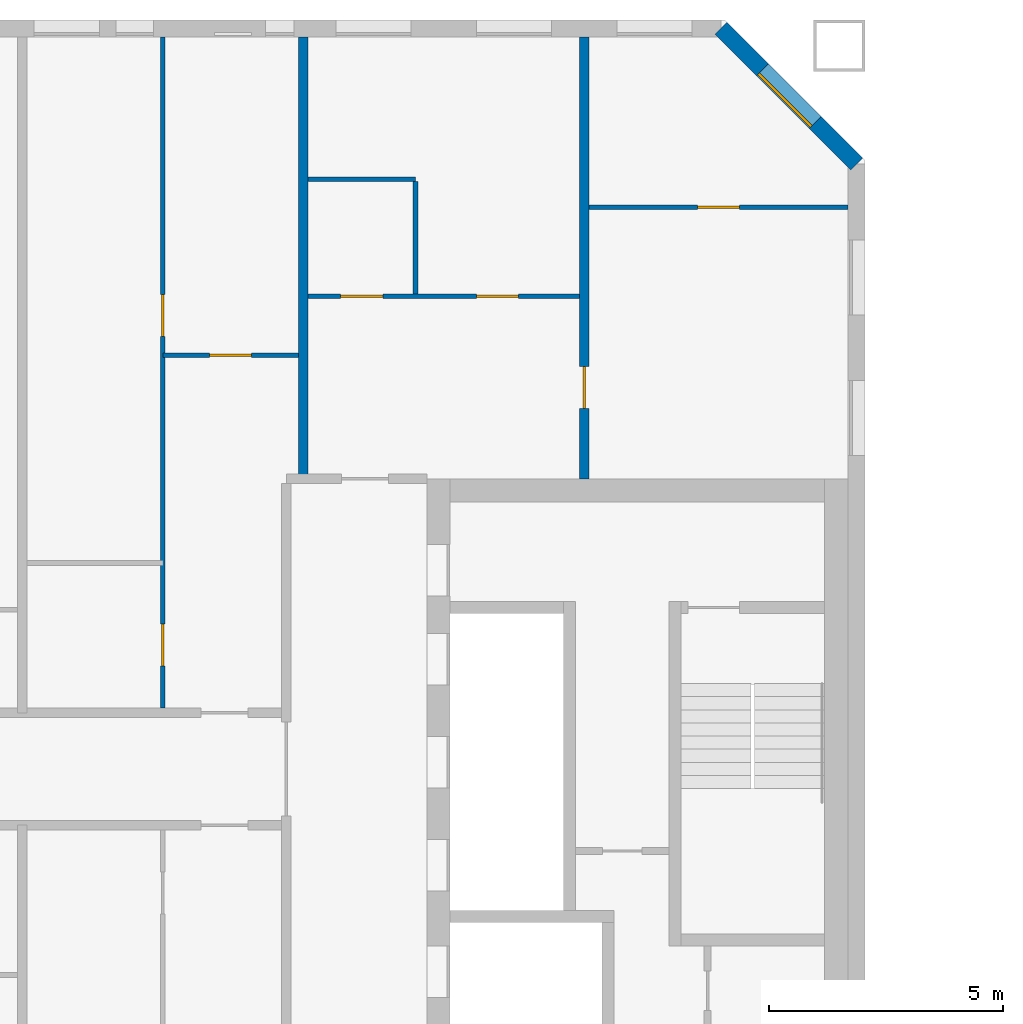
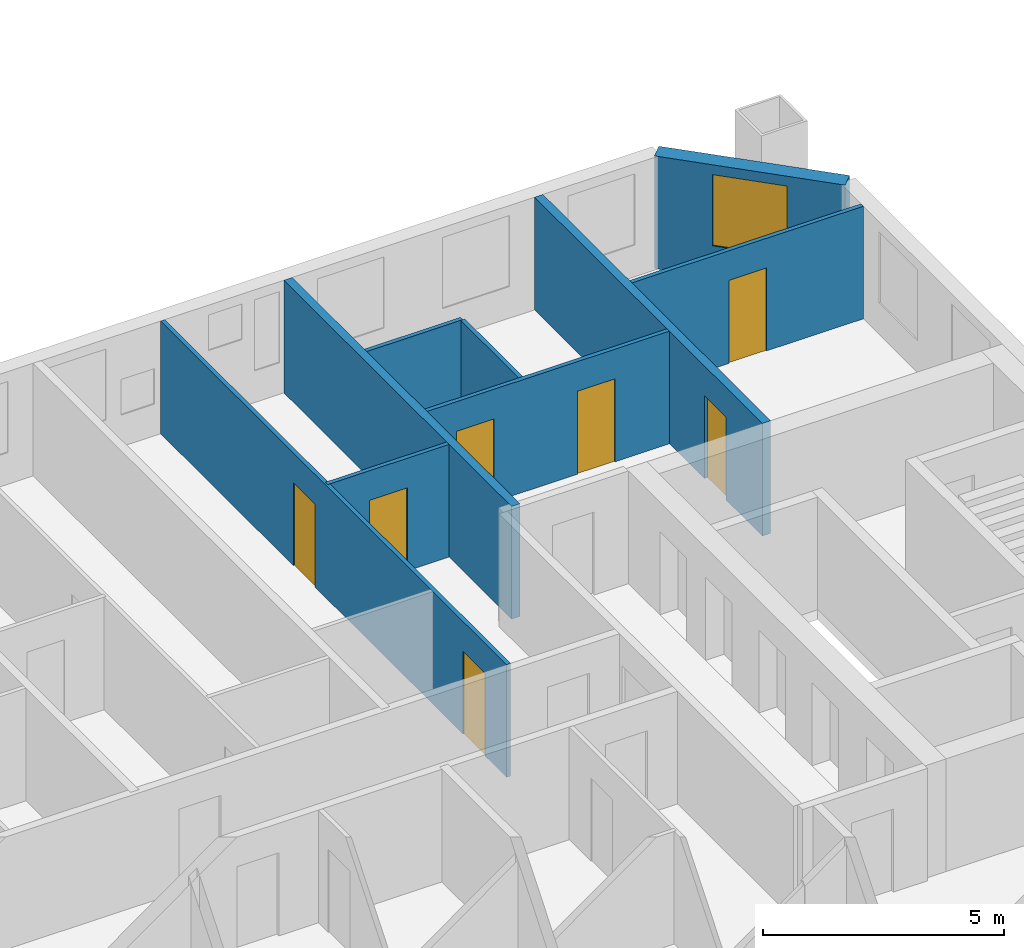
# One storey, part 8 of 16: 9 walls, 7 doors, 1 window, 8 openings.
"""IFC4 building model written with IfcOpenShell, lengths in metres."""

from ifc_helpers import new_model, si_unit, direction, frame, frame_2d, origin, place, context, subcontext, project, spatial, rectangle, extrude, material, layer, layer_set, type_object, element, fill, save


model = new_model("IFC4")

# Units and contexts
model_context = context("Model", 3, precision=1e-05, world=origin(), true_north=direction((0.0, 1.0)))
body_context = subcontext(model_context, "Body", "Model", "MODEL_VIEW")
ifc_project = project(units=[si_unit("LENGTHUNIT", "METRE"), si_unit("AREAUNIT", "SQUARE_METRE"), si_unit("VOLUMEUNIT", "CUBIC_METRE"), si_unit("PLANEANGLEUNIT", "RADIAN"), si_unit("MASSUNIT", "GRAM", prefix="KILO")], contexts=[model_context])

# Site, building, storey
site_placement = place(None, origin())
site = spatial("IfcSite", under=ifc_project, at=site_placement, CompositionType="ELEMENT")
building_placement = place(site_placement, origin())
building = spatial("IfcBuilding", under=site, at=building_placement, Name="Tuart Gate Housing", CompositionType="ELEMENT")
storey_placement = place(building_placement, frame((0.0, 0.0, 157.800048828125)))
storey = spatial("IfcBuildingStorey", under=building, at=storey_placement, Name="L44", CompositionType="ELEMENT", Elevation=157.800048828125)

# Wall, opening, window
ifc_material_1 = material(Name="Brick", Category="masonry")
ifc_layer_1 = layer(ifc_material_1, 0.360107421875)
ifc_layer_set_1 = layer_set([ifc_layer_1], Name="Brick pier and spandrel wall 360")
wall_type_1 = type_object("IfcWallType", Name="Brick pier and spandrel wall 360", PredefinedType="STANDARD", material=ifc_layer_set_1)
wall_1_placement = place(storey_placement, frame((75.820068359375, 82.92529296875, 0.0), z_axis=(0.0, 0.0, 1.0), x_axis=(-0.707106781187, 0.707106781187, 0.0)))
wall_1 = element("IfcWall", 1, at=wall_1_placement, inside=storey, type_object=wall_type_1, Name="External wall A-NE L44", PredefinedType="STANDARD", context=body_context, shape_type="SweptSolid", body=[
    extrude(rectangle(XDim=4.09375, YDim=0.360107421875, at=frame_2d((2.046875, 0.0))), origin(), (0.0, 0.0, 1.0), 2.849853515625),
])
opening_1_placement = place(wall_1_placement, frame((1.2470703125, 0.0, 0.800048828125)))
opening_1 = element("IfcOpeningElement", 2, at=opening_1_placement, cuts=wall_1, Name="Opening W1", PredefinedType="OPENING", context=body_context, shape_type="SweptSolid", body=[
    extrude(rectangle(XDim=1.60009765625, YDim=1.800048828125, at=frame_2d((0.800048828125, 0.89990234375))), frame((0.0, 0.18994140625, 0.0), z_axis=(0.0, -1.0, 0.0), x_axis=(1.0, 0.0, 0.0)), (0.0, 0.0, 1.0), 0.380126953125),
])
ifc_material_2 = material(Name="Aluminium frame with clear glass", Category="aluminium")
window_type = type_object("IfcWindowType", Name="Punched window 1600 x 1800", PartitioningType="SINGLE_PANEL", PredefinedType="WINDOW", material=ifc_material_2)
window_placement = place(opening_1_placement, origin())
window = element("IfcWindow", 3, at=window_placement, inside=storey, type_object=window_type, Name="Window W1", OverallHeight=1.800048828125, OverallWidth=1.60009765625, PartitioningType="SINGLE_PANEL", PredefinedType="WINDOW", context=body_context, shape_type="SweptSolid", body=[
    extrude(rectangle(XDim=1.60009765625, YDim=1.800048828125, at=frame_2d((0.800048828125, 0.89990234375))), frame((0.0, 0.150146484375, 0.0), z_axis=(0.0, -1.0, 0.0), x_axis=(1.0, 0.0, 0.0)), (0.0, 0.0, 1.0), 0.06005859375),
])
fill(opening_1, window)

# Wall, opening, door
ifc_material_3 = material(Name="Gypsum board on steel studs", Category="steel")
ifc_layer_2 = layer(ifc_material_3, 0.10009765625)
ifc_layer_set_2 = layer_set([ifc_layer_2], Name="Partition 100")
wall_type_2 = type_object("IfcWallType", Name="Partition 100", PredefinedType="PARTITIONING", material=ifc_layer_set_2)
wall_2_placement = place(storey_placement, frame((61.0, 78.840087890625, 0.0), z_axis=(0.0, 0.0, 1.0), x_axis=(1.0, 0.0, 0.0)))
wall_2 = element("IfcWall", 4, at=wall_2_placement, inside=storey, type_object=wall_type_2, Name="Partition 100", PredefinedType="PARTITIONING", context=body_context, shape_type="SweptSolid", body=[
    extrude(rectangle(XDim=2.89990234375, YDim=0.10009765625, at=frame_2d((1.449951171875, 0.0))), origin(), (0.0, 0.0, 1.0), 2.849853515625),
])
opening_2_placement = place(wall_2_placement, frame((1.0, 0.0, 0.0)))
opening_2 = element("IfcOpeningElement", 5, at=opening_2_placement, cuts=wall_2, Name="Opening D1631", PredefinedType="OPENING", context=body_context, shape_type="SweptSolid", body=[
    extrude(rectangle(XDim=0.89990234375, YDim=2.10009765625, at=frame_2d((0.449951171875, 1.050048828125))), frame((0.0, 0.06005859375, 0.0), z_axis=(0.0, -1.0, 0.0), x_axis=(1.0, 0.0, 0.0)), (0.0, 0.0, 1.0), 0.1201171875),
])
ifc_material_4 = material(Name="Timber door leaf in steel frame", Category="steel")
door_type_1 = type_object("IfcDoorType", Name="Internal door 900 RH", OperationType="SINGLE_SWING_RIGHT", PredefinedType="DOOR", material=ifc_material_4)
door_1_placement = place(opening_2_placement, frame((0.89990234375, 0.0, 0.0), z_axis=(0.0, 0.0, 1.0), x_axis=(-1.0, 0.0, 0.0)))
door_1 = element("IfcDoor", 6, at=door_1_placement, inside=storey, type_object=door_type_1, Name="Internal door", OperationType="SINGLE_SWING_RIGHT", OverallHeight=2.10009765625, OverallWidth=0.89990234375, PredefinedType="DOOR", context=body_context, shape_type="SweptSolid", body=[
    extrude(rectangle(XDim=0.89990234375, YDim=2.10009765625, at=frame_2d((0.449951171875, 1.050048828125))), frame((0.0, 0.025146484375, 0.0), z_axis=(0.0, -1.0, 0.0), x_axis=(1.0, 0.0, 0.0)), (0.0, 0.0, 1.0), 0.050048828125),
])
fill(opening_2, door_1)

# Wall, openings, doors
wall_3_placement = place(storey_placement, frame((64.10009765625, 80.10009765625, 0.0), z_axis=(0.0, 0.0, 1.0), x_axis=(1.0, 0.0, 0.0)))
wall_3 = element("IfcWall", 7, at=wall_3_placement, inside=storey, type_object=wall_type_2, Name="Partition 100", PredefinedType="PARTITIONING", context=body_context, shape_type="SweptSolid", body=[
    extrude(rectangle(XDim=5.7998046875, YDim=0.10009765625, at=frame_2d((2.89990234375, 0.0))), origin(), (0.0, 0.0, 1.0), 2.849853515625),
])
opening_3_placement = place(wall_3_placement, frame((3.60009765625, 0.0, 0.0)))
opening_3 = element("IfcOpeningElement", 8, at=opening_3_placement, cuts=wall_3, Name="Opening D1629", PredefinedType="OPENING", context=body_context, shape_type="SweptSolid", body=[
    extrude(rectangle(XDim=0.89990234375, YDim=2.10009765625, at=frame_2d((0.449951171875, 1.050048828125))), frame((0.0, 0.06005859375, 0.0), z_axis=(0.0, -1.0, 0.0), x_axis=(1.0, 0.0, 0.0)), (0.0, 0.0, 1.0), 0.1201171875),
])
opening_4_placement = place(wall_3_placement, frame((0.699951171875, 0.0, 0.0)))
opening_4 = element("IfcOpeningElement", 9, at=opening_4_placement, cuts=wall_3, Name="Opening D1628", PredefinedType="OPENING", context=body_context, shape_type="SweptSolid", body=[
    extrude(rectangle(XDim=0.89990234375, YDim=2.10009765625, at=frame_2d((0.449951171875, 1.050048828125))), frame((0.0, 0.06005859375, 0.0), z_axis=(0.0, -1.0, 0.0), x_axis=(1.0, 0.0, 0.0)), (0.0, 0.0, 1.0), 0.1201171875),
])
ifc_material_5 = material(Name="Timber door leaf in steel frame", Category="steel")
door_type_2 = type_object("IfcDoorType", Name="Bathroom door 900 RH", OperationType="SINGLE_SWING_RIGHT", PredefinedType="DOOR", material=ifc_material_5)
door_2_placement = place(opening_4_placement, origin())
door_2 = element("IfcDoor", 10, at=door_2_placement, inside=storey, type_object=door_type_2, Name="Bathroom door", OperationType="SINGLE_SWING_RIGHT", OverallHeight=2.10009765625, OverallWidth=0.89990234375, PredefinedType="DOOR", context=body_context, shape_type="SweptSolid", body=[
    extrude(rectangle(XDim=0.89990234375, YDim=2.10009765625, at=frame_2d((0.449951171875, 1.050048828125))), frame((0.0, 0.02490234375, 0.0), z_axis=(0.0, -1.0, 0.0), x_axis=(1.0, 0.0, 0.0)), (0.0, 0.0, 1.0), 0.050048828125),
])
fill(opening_4, door_2)
ifc_material_6 = material(Name="Timber door leaf in steel frame", Category="steel")
door_type_3 = type_object("IfcDoorType", Name="Internal door 900", OperationType="SINGLE_SWING_LEFT", PredefinedType="DOOR", material=ifc_material_6)
door_3_placement = place(opening_3_placement, origin())
door_3 = element("IfcDoor", 11, at=door_3_placement, inside=storey, type_object=door_type_3, Name="Internal door", OperationType="SINGLE_SWING_LEFT", OverallHeight=2.10009765625, OverallWidth=0.89990234375, PredefinedType="DOOR", context=body_context, shape_type="SweptSolid", body=[
    extrude(rectangle(XDim=0.89990234375, YDim=2.10009765625, at=frame_2d((0.449951171875, 1.050048828125))), frame((0.0, 0.02490234375, 0.0), z_axis=(0.0, -1.0, 0.0), x_axis=(1.0, 0.0, 0.0)), (0.0, 0.0, 1.0), 0.050048828125),
])
fill(opening_3, door_3)

# Wall, opening, door
wall_4_placement = place(storey_placement, frame((70.10009765625, 82.0, 0.0), z_axis=(0.0, 0.0, 1.0), x_axis=(1.0, 0.0, 0.0)))
wall_4 = element("IfcWall", 12, at=wall_4_placement, inside=storey, type_object=wall_type_2, Name="Partition 100", PredefinedType="PARTITIONING", context=body_context, shape_type="SweptSolid", body=[
    extrude(rectangle(XDim=5.539794921875, YDim=0.10009765625, at=frame_2d((2.77001953125, 0.0))), origin(), (0.0, 0.0, 1.0), 2.849853515625),
])
opening_5_placement = place(wall_4_placement, frame((2.320068359375, 0.0, 0.0)))
opening_5 = element("IfcOpeningElement", 13, at=opening_5_placement, cuts=wall_4, Name="Opening D1625", PredefinedType="OPENING", context=body_context, shape_type="SweptSolid", body=[
    extrude(rectangle(XDim=0.89990234375, YDim=2.10009765625, at=frame_2d((0.449951171875, 1.050048828125))), frame((0.0, 0.06005859375, 0.0), z_axis=(0.0, -1.0, 0.0), x_axis=(1.0, 0.0, 0.0)), (0.0, 0.0, 1.0), 0.1201171875),
])
door_4_placement = place(opening_5_placement, origin())
door_4 = element("IfcDoor", 14, at=door_4_placement, inside=storey, type_object=door_type_1, Name="Internal door", OperationType="SINGLE_SWING_RIGHT", OverallHeight=2.10009765625, OverallWidth=0.89990234375, PredefinedType="DOOR", context=body_context, shape_type="SweptSolid", body=[
    extrude(rectangle(XDim=0.89990234375, YDim=2.10009765625, at=frame_2d((0.449951171875, 1.050048828125))), frame((0.0, 0.02490234375, 0.0), z_axis=(0.0, -1.0, 0.0), x_axis=(1.0, 0.0, 0.0)), (0.0, 0.0, 1.0), 0.050048828125),
])
fill(opening_5, door_4)

# Wall
wall_5_placement = place(storey_placement, frame((64.10009765625, 82.60009765625, 0.0), z_axis=(0.0, 0.0, 1.0), x_axis=(1.0, 0.0, 0.0)))
element("IfcWall", 15, at=wall_5_placement, inside=storey, type_object=wall_type_2, Name="Partition 100", PredefinedType="PARTITIONING", context=body_context, shape_type="SweptSolid", body=[
    extrude(rectangle(XDim=2.2998046875, YDim=0.10009765625, at=frame_2d((1.14990234375, 0.0))), origin(), (0.0, 0.0, 1.0), 2.849853515625),
])

# Wall, openings, doors
wall_6_placement = place(storey_placement, frame((61.0, 71.300048828125, 0.0), z_axis=(0.0, 0.0, 1.0), x_axis=(0.0, 1.0, 0.0)))
wall_6 = element("IfcWall", 16, at=wall_6_placement, inside=storey, type_object=wall_type_2, Name="Partition 100", PredefinedType="PARTITIONING", context=body_context, shape_type="SweptSolid", body=[
    extrude(rectangle(XDim=14.33984375, YDim=0.10009765625, at=frame_2d((7.169921875, 0.0))), origin(), (0.0, 0.0, 1.0), 2.849853515625),
])
opening_6_placement = place(wall_6_placement, frame((7.93994140625, 0.0, 0.0)))
opening_6 = element("IfcOpeningElement", 17, at=opening_6_placement, cuts=wall_6, Name="Opening D1639", PredefinedType="OPENING", context=body_context, shape_type="SweptSolid", body=[
    extrude(rectangle(XDim=0.89990234375, YDim=2.10009765625, at=frame_2d((0.449951171875, 1.050048828125))), frame((0.0, 0.06005859375, 0.0), z_axis=(0.0, -1.0, 0.0), x_axis=(1.0, 0.0, 0.0)), (0.0, 0.0, 1.0), 0.1201171875),
])
opening_7_placement = place(wall_6_placement, frame((0.89990234375, 0.0, 0.0)))
opening_7 = element("IfcOpeningElement", 18, at=opening_7_placement, cuts=wall_6, Name="Opening D1638", PredefinedType="OPENING", context=body_context, shape_type="SweptSolid", body=[
    extrude(rectangle(XDim=0.89990234375, YDim=2.10009765625, at=frame_2d((0.449951171875, 1.050048828125))), frame((0.0, 0.06005859375, 0.0), z_axis=(0.0, -1.0, 0.0), x_axis=(1.0, 0.0, 0.0)), (0.0, 0.0, 1.0), 0.1201171875),
])
ifc_material_7 = material(Name="Timber door leaf in steel frame", Category="steel")
door_type_4 = type_object("IfcDoorType", Name="Bathroom door 900", OperationType="SINGLE_SWING_LEFT", PredefinedType="DOOR", material=ifc_material_7)
door_5_placement = place(opening_7_placement, origin())
door_5 = element("IfcDoor", 19, at=door_5_placement, inside=storey, type_object=door_type_4, Name="Bathroom door", OperationType="SINGLE_SWING_LEFT", OverallHeight=2.10009765625, OverallWidth=0.89990234375, PredefinedType="DOOR", context=body_context, shape_type="SweptSolid", body=[
    extrude(rectangle(XDim=0.89990234375, YDim=2.10009765625, at=frame_2d((0.449951171875, 1.050048828125))), frame((0.0, 0.02490234375, 0.0), z_axis=(0.0, -1.0, 0.0), x_axis=(1.0, 0.0, 0.0)), (0.0, 0.0, 1.0), 0.050048828125),
])
fill(opening_7, door_5)
door_6_placement = place(opening_6_placement, origin())
door_6 = element("IfcDoor", 20, at=door_6_placement, inside=storey, type_object=door_type_3, Name="Internal door", OperationType="SINGLE_SWING_LEFT", OverallHeight=2.10009765625, OverallWidth=0.89990234375, PredefinedType="DOOR", context=body_context, shape_type="SweptSolid", body=[
    extrude(rectangle(XDim=0.89990234375, YDim=2.10009765625, at=frame_2d((0.449951171875, 1.050048828125))), frame((0.0, 0.02490234375, 0.0), z_axis=(0.0, -1.0, 0.0), x_axis=(1.0, 0.0, 0.0)), (0.0, 0.0, 1.0), 0.050048828125),
])
fill(opening_6, door_6)

# Walls
wall_7_placement = place(storey_placement, frame((66.39990234375, 80.14990234375, 0.0), z_axis=(0.0, 0.0, 1.0), x_axis=(0.0, 1.0, 0.0)))
element("IfcWall", 21, at=wall_7_placement, inside=storey, type_object=wall_type_2, Name="Partition 100", PredefinedType="PARTITIONING", context=body_context, shape_type="SweptSolid", body=[
    extrude(rectangle(XDim=2.400146484375, YDim=0.10009765625, at=frame_2d((1.2001953125, 0.0))), origin(), (0.0, 0.0, 1.0), 2.849853515625),
])
ifc_material_8 = material(Name="Concrete C40", Category="concrete")
ifc_layer_3 = layer(ifc_material_8, 0.199951171875)
ifc_layer_set_3 = layer_set([ifc_layer_3], Name="Party wall concrete C40 200")
wall_type_3 = type_object("IfcWallType", Name="Party wall concrete C40 200", PredefinedType="SOLIDWALL", material=ifc_layer_set_3)
wall_8_placement = place(storey_placement, frame((64.0, 76.199951171875, 0.0), z_axis=(0.0, 0.0, 1.0), x_axis=(0.0, 1.0, 0.0)))
element("IfcWall", 22, at=wall_8_placement, inside=storey, type_object=wall_type_3, Name="Party wall concrete C40 200", PredefinedType="SOLIDWALL", context=body_context, shape_type="SweptSolid", body=[
    extrude(rectangle(XDim=9.43994140625, YDim=0.199951171875, at=frame_2d((4.719970703125, 0.0))), origin(), (0.0, 0.0, 1.0), 2.849853515625),
])

# Wall, opening, door
wall_9_placement = place(storey_placement, frame((70.0, 76.199951171875, 0.0), z_axis=(0.0, 0.0, 1.0), x_axis=(0.0, 1.0, 0.0)))
wall_9 = element("IfcWall", 23, at=wall_9_placement, inside=storey, type_object=wall_type_3, Name="Party wall concrete C40 200", PredefinedType="SOLIDWALL", context=body_context, shape_type="SweptSolid", body=[
    extrude(rectangle(XDim=9.43994140625, YDim=0.199951171875, at=frame_2d((4.719970703125, 0.0))), origin(), (0.0, 0.0, 1.0), 2.849853515625),
])
opening_8_placement = place(wall_9_placement, frame((1.5, 0.0, 0.0)))
opening_8 = element("IfcOpeningElement", 24, at=opening_8_placement, cuts=wall_9, Name="Opening D1626", PredefinedType="OPENING", context=body_context, shape_type="SweptSolid", body=[
    extrude(rectangle(XDim=0.89990234375, YDim=2.10009765625, at=frame_2d((0.449951171875, 1.050048828125))), frame((0.0, 0.10986328125, 0.0), z_axis=(0.0, -1.0, 0.0), x_axis=(1.0, 0.0, 0.0)), (0.0, 0.0, 1.0), 0.219970703125),
])
door_7_placement = place(opening_8_placement, origin())
door_7 = element("IfcDoor", 25, at=door_7_placement, inside=storey, type_object=door_type_3, Name="Internal door", OperationType="SINGLE_SWING_LEFT", OverallHeight=2.10009765625, OverallWidth=0.89990234375, PredefinedType="DOOR", context=body_context, shape_type="SweptSolid", body=[
    extrude(rectangle(XDim=0.89990234375, YDim=2.10009765625, at=frame_2d((0.449951171875, 1.050048828125))), frame((0.0, 0.02490234375, 0.0), z_axis=(0.0, -1.0, 0.0), x_axis=(1.0, 0.0, 0.0)), (0.0, 0.0, 1.0), 0.050048828125),
])
fill(opening_8, door_7)

save(model, "model.ifc")
